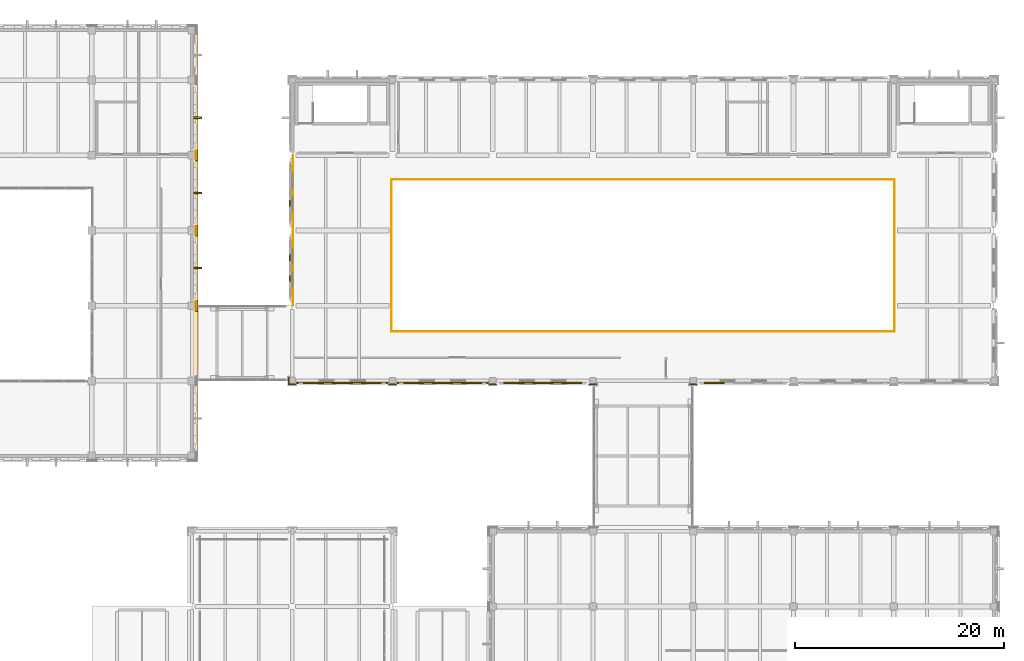
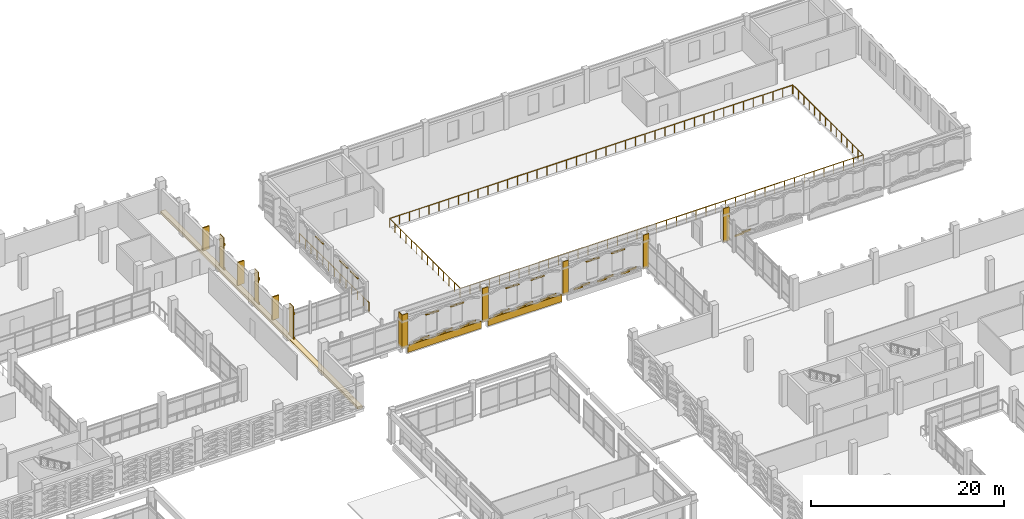
# One storey, part 174 of 180: 50 coverings, 3 railings.
"""IFC4 building model written with IfcOpenShell, lengths in metres."""

import ifcopenshell
import ifcopenshell.guid

model = None  # the IFC model being written
_history = None  # IfcOwnerHistory: only IFC2X3 demands one
_inside = {}  # id of a spatial element -> (the spatial element, [elements in it])
_under = {}  # id of a project, library or spatial element -> (it, [spatial elements below it])
_declared = {}  # id of a project -> (the project, [libraries it declares])
_typed = {}  # id of a type object -> (the type object, [elements of that type])
_made_of = {}  # id of a material, layer set ... -> (it, [elements and type objects made of it])


def new_model(schema):
    """Start an empty IFC model of exactly this schema.

    Asked for "IFC4X3", IfcOpenShell would pick the latest addendum, in which some entities
    have other attributes; the version numbers below select the first issue.
    IFC2X3 requires an IfcOwnerHistory on every rooted entity: one is made here for all.
    """
    global model, _history
    if schema == "IFC4X3":
        model = ifcopenshell.file(schema_version=(4, 3, 0, 0))
    else:
        model = ifcopenshell.file(schema=schema)
    _inside.clear()
    _under.clear()
    _declared.clear()
    _typed.clear()
    _made_of.clear()
    _history = None
    if model.schema == "IFC2X3":
        org = make("IfcOrganization", Name="unknown")
        user = make(
            "IfcPersonAndOrganization",
            ThePerson=make("IfcPerson", FamilyName="unknown"),
            TheOrganization=org,
        )
        app = make(
            "IfcApplication",
            ApplicationDeveloper=org,
            Version="unknown",
            ApplicationFullName="unknown",
            ApplicationIdentifier="unknown",
        )
        _history = make(
            "IfcOwnerHistory",
            OwningUser=user,
            OwningApplication=app,
            ChangeAction="ADDED",
            CreationDate=0,
        )
    return model


def make(cls, **values):
    """One entity of the class cls with the attributes given. An attribute that is None is left unset."""
    return model.create_entity(
        cls, **{name: value for name, value in values.items() if value is not None}
    )


def rooted(cls, **values):
    """An entity with a GlobalId (a new one), such as an element, a storey or a relation."""
    return make(cls, GlobalId=ifcopenshell.guid.new(), OwnerHistory=_history, **values)


def si_unit(unit_type, name, prefix=None):
    """IfcSIUnit, for example si_unit("LENGTHUNIT", "METRE", prefix="MILLI")."""
    return make("IfcSIUnit", UnitType=unit_type, Prefix=prefix, Name=name)


def assignment(units):
    """IfcUnitAssignment: the units of a project."""
    return None if units is None else make("IfcUnitAssignment", Units=units)


def point(xyz):
    """IfcCartesianPoint."""
    return None if xyz is None else make("IfcCartesianPoint", Coordinates=xyz)


def direction(xyz):
    """IfcDirection."""
    return None if xyz is None else make("IfcDirection", DirectionRatios=xyz)


def frame(location, z_axis=None, x_axis=None):
    """IfcAxis2Placement3D, a coordinate frame: its origin and axes. An axis left out is left unset."""
    return make(
        "IfcAxis2Placement3D",
        Location=point(location),
        Axis=direction(z_axis),
        RefDirection=direction(x_axis),
    )


def frame_2d(location, x_axis=None):
    """IfcAxis2Placement2D, a coordinate frame in the plane: its origin and x axis."""
    return make(
        "IfcAxis2Placement2D", Location=point(location), RefDirection=direction(x_axis)
    )


def origin():
    """The frame at (0, 0, 0) with its axes left unset."""
    return frame((0.0, 0.0, 0.0))


def origin_2d():
    """The frame at (0, 0) in the plane with its x axis left unset."""
    return frame_2d((0.0, 0.0))


def place(relative_to, where):
    """IfcLocalPlacement: puts the frame where relative to a parent placement (None: the world)."""
    return make(
        "IfcLocalPlacement", PlacementRelTo=relative_to, RelativePlacement=where
    )


def context(
    kind, dimensions, precision=None, world=None, true_north=None, identifier=None
):
    """IfcGeometricRepresentationContext, for example the 3D "Model" context."""
    return make(
        "IfcGeometricRepresentationContext",
        ContextIdentifier=identifier,
        ContextType=kind,
        CoordinateSpaceDimension=dimensions,
        Precision=precision,
        WorldCoordinateSystem=world,
        TrueNorth=true_north,
    )


def subcontext(parent, identifier, kind, view, scale=None):
    """IfcGeometricRepresentationSubContext, for example "Body" below "Model"."""
    return make(
        "IfcGeometricRepresentationSubContext",
        ContextIdentifier=identifier,
        ContextType=kind,
        ParentContext=parent,
        TargetScale=scale,
        TargetView=view,
    )


def project(units=None, contexts=None):
    """IfcProject with its units and contexts."""
    return rooted(
        "IfcProject",
        Name="project",
        RepresentationContexts=contexts,
        UnitsInContext=assignment(units),
    )


def spatial(cls, under=None, at=None, **own):
    """A site, building, storey or space (cls), placed at a placement, below another one or the project."""
    s = rooted(cls, ObjectPlacement=at, **own)
    if under is not None:
        _under.setdefault(under.id(), (under, []))[1].append(s)
    return s


def profile(cls, at=None, kind="AREA", **sizes):
    """A parametric profile (cls). Its sizes go by their IFC names, for example OverallWidth=200.0."""
    return make(cls, ProfileType=kind, Position=at, **sizes)


def rectangle(**sizes):
    """IfcRectangleProfileDef."""
    return profile("IfcRectangleProfileDef", **sizes)


def circle(**sizes):
    """IfcCircleProfileDef."""
    return profile("IfcCircleProfileDef", **sizes)


def extrude(swept, where, along, depth):
    """IfcExtrudedAreaSolid: the profile swept, set in the frame where, extruded along a direction by depth."""
    return make(
        "IfcExtrudedAreaSolid",
        SweptArea=swept,
        Position=where,
        ExtrudedDirection=direction(along),
        Depth=depth,
    )


def shape(context_of_items, identifier, shape_type, items):
    """IfcShapeRepresentation: the items that make up one representation, for example the "Body"."""
    return make(
        "IfcShapeRepresentation",
        ContextOfItems=context_of_items,
        RepresentationIdentifier=identifier,
        RepresentationType=shape_type,
        Items=items,
    )


def material(Name=None, Category=None):
    """IfcMaterial."""
    return make("IfcMaterial", Name=Name, Category=Category)


def layer(
    of_material, thickness, ventilated=None, Name=None, Category=None, Priority=None
):
    """IfcMaterialLayer: one layer of a wall or slab, of a material (None: an air gap)."""
    return make(
        "IfcMaterialLayer",
        Material=of_material,
        LayerThickness=thickness,
        IsVentilated=ventilated,
        Name=Name,
        Category=Category,
        Priority=Priority,
    )


def layer_set(layers, Name=None):
    """IfcMaterialLayerSet."""
    return make("IfcMaterialLayerSet", MaterialLayers=layers, LayerSetName=Name)


def made_of(thing, what):
    """Note that an element or type object is made of a material, layer set ...; save() writes the relation."""
    if what is not None:
        _made_of.setdefault(what.id(), (what, []))[1].append(thing)
    return thing


def type_object(cls, material=None, **own):
    """A type object (cls), such as IfcWallType, which elements share."""
    return made_of(rooted(cls, **own), material)


def element(
    cls,
    number,
    at=None,
    inside=None,
    cuts=None,
    type_object=None,
    material=None,
    context=None,
    identifier="Body",
    shape_type=None,
    held_by="IfcProductDefinitionShape",
    body=None,
    shapes=None,
    **own,
):
    """One element of the class cls, such as IfcWall. Its Tag is "e" and its number.

    at: its placement. inside: the storey or other place that contains it. cuts: it is an
    opening in that element (IfcRelVoidsElement). A single representation is given by context,
    identifier, shape_type and body (its items); several are given by shapes. held_by: the class
    of the entity that holds the representations. save() writes the other relations.
    """
    e = rooted(cls, Tag="e%d" % number, ObjectPlacement=at, **own)
    if body is not None:
        shapes = [shape(context, identifier, shape_type, body)]
    if shapes is not None:
        e.Representation = make(held_by, Representations=shapes)
    if inside is not None:
        _inside.setdefault(inside.id(), (inside, []))[1].append(e)
    if cuts is not None:
        rooted(
            "IfcRelVoidsElement", RelatingBuildingElement=cuts, RelatedOpeningElement=e
        )
    if type_object is not None:
        _typed.setdefault(type_object.id(), (type_object, []))[1].append(e)
    return made_of(e, material)


def aggregate(whole, parts):
    """IfcRelAggregates: a whole, such as a stair, and the parts it consists of."""
    return rooted("IfcRelAggregates", RelatingObject=whole, RelatedObjects=parts)


def save(model, path):
    """Write the relations noted so far, then the file.

    IfcRelAggregates (storeys below a building ...), IfcRelContainedInSpatialStructure (elements
    in a storey), IfcRelDefinesByType, IfcRelAssociatesMaterial and IfcRelDeclares: one each for
    every whole, place, type object, material and project.
    """
    for whole, parts in _under.values():
        aggregate(whole, parts)
    for where, things in _inside.values():
        rooted(
            "IfcRelContainedInSpatialStructure",
            RelatedElements=things,
            RelatingStructure=where,
        )
    for kind, things in _typed.values():
        rooted("IfcRelDefinesByType", RelatedObjects=things, RelatingType=kind)
    for what, things in _made_of.values():
        rooted("IfcRelAssociatesMaterial", RelatedObjects=things, RelatingMaterial=what)
    for by, libraries in _declared.values():
        rooted("IfcRelDeclares", RelatingContext=by, RelatedDefinitions=libraries)
    model.write(path)


model = new_model("IFC4")

# Units and contexts
model_context = context("Model", 3, precision=1e-05, world=origin(), true_north=direction((0.0, 1.0)))
body_context = subcontext(model_context, "Body", "Model", "MODEL_VIEW")
ifc_project = project(units=[si_unit("LENGTHUNIT", "METRE"), si_unit("AREAUNIT", "SQUARE_METRE"), si_unit("VOLUMEUNIT", "CUBIC_METRE"), si_unit("PLANEANGLEUNIT", "RADIAN"), si_unit("MASSUNIT", "GRAM", prefix="KILO")], contexts=[model_context])

# Site, building, storey
site_placement = place(None, origin())
site = spatial("IfcSite", under=ifc_project, at=site_placement, CompositionType="ELEMENT")
building_placement = place(site_placement, origin())
building = spatial("IfcBuilding", under=site, at=building_placement, Name="Asteropetra Specialist Clinic", CompositionType="ELEMENT")
storey_placement = place(building_placement, frame((0.0, 0.0, 4.419921875)))
storey = spatial("IfcBuildingStorey", under=building, at=storey_placement, Name="L01", CompositionType="ELEMENT", Elevation=4.419921875)

# Coverings
ifc_material_1 = material(Name="Chevron terracotta deep", Category="masonry")
ifc_layer_1 = layer(ifc_material_1, 0.1201171875)
ifc_layer_set_1 = layer_set([ifc_layer_1], Name="Chevron terracotta deep")
covering_type_1 = type_object("IfcCoveringType", Name="CLD-TER-DEEP", PredefinedType="CLADDING", material=ifc_layer_set_1)
covering_1_placement = place(storey_placement, frame((91.199951171875, 76.60009765625, -0.7998046875), z_axis=(0.0, 0.0, 1.0), x_axis=(1.0, 0.0, 0.0)))
element("IfcCovering", 1, at=covering_1_placement, inside=storey, type_object=covering_type_1, Name="Chevron Spandrel Band CV-1205", PredefinedType="CLADDING", context=body_context, shape_type="SweptSolid", body=[
    extrude(rectangle(XDim=8.800048828125, YDim=0.1201171875, at=origin_2d()), origin(), (0.0, 0.0, 1.0), 0.8798828125),
])
for number, where, z_axis, x_axis, name in (
    (2, (88.001220703125, 76.5849609375, 0.1201171875), (0.0, 0.0, 1.0), (1.0, 0.0, 0.0), "Chevron Ceramic Band CV-1206"),
    (3, (88.8251953125, 76.5849609375, 0.26025390625), (0.0, 0.0, 1.0), (1.0, 0.0, 0.0), "Chevron Ceramic Band CV-1207"),
    (4, (90.7880859375, 76.5849609375, 0.1201171875), (0.0, 0.0, 1.0), (1.0, 0.0, 0.0), "Chevron Ceramic Band CV-1208"),
    (5, (91.612060546875, 76.5849609375, 0.26025390625), (0.0, 0.0, 1.0), (1.0, 0.0, 0.0), "Chevron Ceramic Band CV-1209"),
    (6, (93.57470703125, 76.5849609375, 0.1201171875), (0.0, 0.0, 1.0), (1.0, 0.0, 0.0), "Chevron Ceramic Band CV-1210"),
    (7, (94.398681640625, 76.5849609375, 0.26025390625), (0.0, 0.0, 1.0), (1.0, 0.0, 0.0), "Chevron Ceramic Band CV-1211"),
):
    element("IfcCovering", number, at=place(storey_placement, frame(where, z_axis=z_axis, x_axis=x_axis)), inside=storey, type_object=covering_type_1, Name=name, PredefinedType="CLADDING", context=body_context, shape_type="SweptSolid", body=[
        extrude(rectangle(XDim=1.05908203125, YDim=0.1201171875, at=origin_2d()), origin(), (0.0, 0.0, 1.0), 0.199951171875),
    ])
covering_2_placement = place(storey_placement, frame((100.800048828125, 76.60009765625, -0.7998046875), z_axis=(0.0, 0.0, 1.0), x_axis=(1.0, 0.0, 0.0)))
element("IfcCovering", 8, at=covering_2_placement, inside=storey, type_object=covering_type_1, Name="Chevron Spandrel Band CV-1221", PredefinedType="CLADDING", context=body_context, shape_type="SweptSolid", body=[
    extrude(rectangle(XDim=8.800048828125, YDim=0.1201171875, at=origin_2d()), origin(), (0.0, 0.0, 1.0), 0.8798828125),
])
for number, where, z_axis, x_axis, name in (
    (9, (97.601318359375, 76.5849609375, 0.1201171875), (0.0, 0.0, 1.0), (1.0, 0.0, 0.0), "Chevron Ceramic Band CV-1222"),
    (10, (98.42529296875, 76.5849609375, 0.26025390625), (0.0, 0.0, 1.0), (1.0, 0.0, 0.0), "Chevron Ceramic Band CV-1223"),
    (11, (100.387939453125, 76.5849609375, 0.1201171875), (0.0, 0.0, 1.0), (1.0, 0.0, 0.0), "Chevron Ceramic Band CV-1224"),
    (12, (101.2119140625, 76.5849609375, 0.26025390625), (0.0, 0.0, 1.0), (1.0, 0.0, 0.0), "Chevron Ceramic Band CV-1225"),
    (13, (103.1748046875, 76.5849609375, 0.1201171875), (0.0, 0.0, 1.0), (1.0, 0.0, 0.0), "Chevron Ceramic Band CV-1226"),
    (14, (103.998779296875, 76.5849609375, 0.26025390625), (0.0, 0.0, 1.0), (1.0, 0.0, 0.0), "Chevron Ceramic Band CV-1227"),
    (15, (107.201416015625, 76.5849609375, 0.1201171875), (0.0, 0.0, 1.0), (1.0, 0.0, 0.0), "Chevron Ceramic Band CV-1238"),
    (16, (108.025390625, 76.5849609375, 0.26025390625), (0.0, 0.0, 1.0), (1.0, 0.0, 0.0), "Chevron Ceramic Band CV-1239"),
    (17, (109.988037109375, 76.5849609375, 0.1201171875), (0.0, 0.0, 1.0), (1.0, 0.0, 0.0), "Chevron Ceramic Band CV-1240"),
    (18, (110.81201171875, 76.5849609375, 0.26025390625), (0.0, 0.0, 1.0), (1.0, 0.0, 0.0), "Chevron Ceramic Band CV-1241"),
    (19, (112.774658203125, 76.5849609375, 0.1201171875), (0.0, 0.0, 1.0), (1.0, 0.0, 0.0), "Chevron Ceramic Band CV-1242"),
    (20, (113.5986328125, 76.5849609375, 0.26025390625), (0.0, 0.0, 1.0), (1.0, 0.0, 0.0), "Chevron Ceramic Band CV-1243"),
    (21, (126.4013671875, 76.5849609375, 0.1201171875), (0.0, 0.0, 1.0), (1.0, 0.0, 0.0), "Chevron Ceramic Band CV-1263"),
    (22, (127.225341796875, 76.5849609375, 0.26025390625), (0.0, 0.0, 1.0), (1.0, 0.0, 0.0), "Chevron Ceramic Band CV-1264"),
):
    element("IfcCovering", number, at=place(storey_placement, frame(where, z_axis=z_axis, x_axis=x_axis)), inside=storey, type_object=covering_type_1, Name=name, PredefinedType="CLADDING", context=body_context, shape_type="SweptSolid", body=[
        extrude(rectangle(XDim=1.05908203125, YDim=0.1201171875, at=origin_2d()), origin(), (0.0, 0.0, 1.0), 0.199951171875),
    ])
ifc_material_2 = material(Name="Pentelic marble ashlar", Category="masonry")
ifc_layer_2 = layer(ifc_material_2, 0.159912109375)
ifc_layer_set_2 = layer_set([ifc_layer_2], Name="Pentelic marble ashlar")
covering_type_2 = type_object("IfcCoveringType", Name="CRN-ENTAB-600", PredefinedType="MOLDING", material=ifc_layer_set_2)
covering_3_placement = place(storey_placement, frame((86.39990234375, 76.468017578125, 0.02001953125), z_axis=(0.0, 0.0, 1.0), x_axis=(1.0, 0.0, 0.0)))
element("IfcCovering", 23, at=covering_3_placement, inside=storey, type_object=covering_type_2, Name="Neoclassical Pilaster Facing CM-0175", PredefinedType="MOLDING", context=body_context, shape_type="SweptSolid", body=[
    extrude(rectangle(XDim=0.679931640625, YDim=0.080078125, at=origin_2d()), origin(), (0.0, 0.0, 1.0), 4.239990234375),
])
covering_4_placement = place(storey_placement, frame((86.068115234375, 76.800048828125, 0.02001953125), z_axis=(0.0, 0.0, 1.0), x_axis=(1.0, 0.0, 0.0)))
element("IfcCovering", 24, at=covering_4_placement, inside=storey, type_object=covering_type_2, Name="Neoclassical Pilaster Facing CM-0178", PredefinedType="MOLDING", context=body_context, shape_type="SweptSolid", body=[
    extrude(rectangle(XDim=0.080078125, YDim=0.679931640625, at=origin_2d()), origin(), (0.0, 0.0, 1.0), 4.239990234375),
])
for number, where, z_axis, x_axis, name in (
    (25, (96.0, 76.468017578125, 0.02001953125), (0.0, 0.0, 1.0), (1.0, 0.0, 0.0), "Neoclassical Pilaster Facing CM-0187"),
    (26, (105.60009765625, 76.468017578125, 0.02001953125), (0.0, 0.0, 1.0), (1.0, 0.0, 0.0), "Neoclassical Pilaster Facing CM-0193"),
    (27, (115.199951171875, 76.468017578125, 0.02001953125), (0.0, 0.0, 1.0), (1.0, 0.0, 0.0), "Neoclassical Pilaster Facing CM-0199"),
    (28, (124.800048828125, 76.468017578125, 0.02001953125), (0.0, 0.0, 1.0), (1.0, 0.0, 0.0), "Neoclassical Pilaster Facing CM-0205"),
):
    element("IfcCovering", number, at=place(storey_placement, frame(where, z_axis=z_axis, x_axis=x_axis)), inside=storey, type_object=covering_type_2, Name=name, PredefinedType="MOLDING", context=body_context, shape_type="SweptSolid", body=[
        extrude(rectangle(XDim=0.679931640625, YDim=0.080078125, at=origin_2d()), origin(), (0.0, 0.0, 1.0), 4.239990234375),
    ])
covering_5_placement = place(storey_placement, frame((77.20703125, 84.0, 0.02001953125), z_axis=(0.0, 0.0, 1.0), x_axis=(1.0, 0.0, 0.0)))
element("IfcCovering", 29, at=covering_5_placement, inside=storey, type_object=covering_type_2, Name="Neoclassical Pilaster Facing CM-0631", PredefinedType="MOLDING", context=body_context, shape_type="SweptSolid", body=[
    extrude(rectangle(XDim=0.080078125, YDim=0.830078125, at=origin_2d()), origin(), (0.0, 0.0, 1.0), 4.0400390625),
])
for number, where, z_axis, x_axis, name in (
    (30, (77.2470703125, 84.0, 0.01025390625), (0.0, 0.0, 1.0), (1.0, 0.0, 0.0), "Doric Base CC-0632"),
    (31, (77.2470703125, 84.0, 3.08984375), (0.0, 0.0, 1.0), (1.0, 0.0, 0.0), "Doric Capital CC-0633"),
):
    element("IfcCovering", number, at=place(storey_placement, frame(where, z_axis=z_axis, x_axis=x_axis)), inside=storey, type_object=covering_type_2, Name=name, PredefinedType="MOLDING", context=body_context, shape_type="SweptSolid", body=[
        extrude(rectangle(XDim=0.159912109375, YDim=1.030029296875, at=origin_2d()), origin(), (0.0, 0.0, 1.0), 0.260009765625),
    ])
covering_6_placement = place(storey_placement, frame((77.20703125, 91.199951171875, 0.02001953125), z_axis=(0.0, 0.0, 1.0), x_axis=(1.0, 0.0, 0.0)))
element("IfcCovering", 32, at=covering_6_placement, inside=storey, type_object=covering_type_2, Name="Neoclassical Pilaster Facing CM-0634", PredefinedType="MOLDING", context=body_context, shape_type="SweptSolid", body=[
    extrude(rectangle(XDim=0.080078125, YDim=0.830078125, at=origin_2d()), origin(), (0.0, 0.0, 1.0), 4.0400390625),
])
for number, where, z_axis, x_axis, name in (
    (33, (77.2470703125, 91.199951171875, 0.01025390625), (0.0, 0.0, 1.0), (1.0, 0.0, 0.0), "Doric Base CC-0635"),
    (34, (77.2470703125, 91.199951171875, 3.08984375), (0.0, 0.0, 1.0), (1.0, 0.0, 0.0), "Doric Capital CC-0636"),
):
    element("IfcCovering", number, at=place(storey_placement, frame(where, z_axis=z_axis, x_axis=x_axis)), inside=storey, type_object=covering_type_2, Name=name, PredefinedType="MOLDING", context=body_context, shape_type="SweptSolid", body=[
        extrude(rectangle(XDim=0.159912109375, YDim=1.030029296875, at=origin_2d()), origin(), (0.0, 0.0, 1.0), 0.260009765625),
    ])
covering_7_placement = place(storey_placement, frame((77.20703125, 98.39990234375, 0.02001953125), z_axis=(0.0, 0.0, 1.0), x_axis=(1.0, 0.0, 0.0)))
element("IfcCovering", 35, at=covering_7_placement, inside=storey, type_object=covering_type_2, Name="Neoclassical Pilaster Facing CM-0637", PredefinedType="MOLDING", context=body_context, shape_type="SweptSolid", body=[
    extrude(rectangle(XDim=0.080078125, YDim=0.830078125, at=origin_2d()), origin(), (0.0, 0.0, 1.0), 4.0400390625),
])
for number, where, z_axis, x_axis, name in (
    (36, (77.2470703125, 98.39990234375, 0.01025390625), (0.0, 0.0, 1.0), (1.0, 0.0, 0.0), "Doric Base CC-0638"),
    (37, (77.2470703125, 98.39990234375, 3.08984375), (0.0, 0.0, 1.0), (1.0, 0.0, 0.0), "Doric Capital CC-0639"),
):
    element("IfcCovering", number, at=place(storey_placement, frame(where, z_axis=z_axis, x_axis=x_axis)), inside=storey, type_object=covering_type_2, Name=name, PredefinedType="MOLDING", context=body_context, shape_type="SweptSolid", body=[
        extrude(rectangle(XDim=0.159912109375, YDim=1.030029296875, at=origin_2d()), origin(), (0.0, 0.0, 1.0), 0.260009765625),
    ])
for number, where, z_axis, x_axis, name in (
    (38, (89.699951171875, 76.570068359375, 3.14990234375), (0.0, 0.0, 1.0), (1.0, 0.0, 0.0), "Classical Window Hood WH-1203"),
    (39, (92.699951171875, 76.570068359375, 3.14990234375), (0.0, 0.0, 1.0), (1.0, 0.0, 0.0), "Classical Window Hood WH-1204"),
    (40, (99.300048828125, 76.570068359375, 3.14990234375), (0.0, 0.0, 1.0), (1.0, 0.0, 0.0), "Classical Window Hood WH-1219"),
    (41, (102.300048828125, 76.570068359375, 3.14990234375), (0.0, 0.0, 1.0), (1.0, 0.0, 0.0), "Classical Window Hood WH-1220"),
    (42, (108.89990234375, 76.570068359375, 3.14990234375), (0.0, 0.0, 1.0), (1.0, 0.0, 0.0), "Classical Window Hood WH-1236"),
    (43, (111.89990234375, 76.570068359375, 3.14990234375), (0.0, 0.0, 1.0), (1.0, 0.0, 0.0), "Classical Window Hood WH-1237"),
):
    element("IfcCovering", number, at=place(storey_placement, frame(where, z_axis=z_axis, x_axis=x_axis)), inside=storey, type_object=covering_type_2, Name=name, PredefinedType="MOLDING", context=body_context, shape_type="SweptSolid", body=[
        extrude(rectangle(XDim=1.590087890625, YDim=0.159912109375, at=origin_2d()), origin(), (0.0, 0.0, 1.0), 0.139892578125),
    ])
for number, where, z_axis, x_axis, name in (
    (44, (86.169921875, 88.706787109375, 3.14990234375), (0.0, 0.0, 1.0), (1.0, 0.0, 0.0), "Classical Window Hood WH-1317"),
    (45, (86.169921875, 86.493408203125, 3.14990234375), (0.0, 0.0, 1.0), (1.0, 0.0, 0.0), "Classical Window Hood WH-1318"),
    (46, (86.169921875, 93.693359375, 3.14990234375), (0.0, 0.0, 1.0), (1.0, 0.0, 0.0), "Classical Window Hood WH-1334"),
):
    element("IfcCovering", number, at=place(storey_placement, frame(where, z_axis=z_axis, x_axis=x_axis)), inside=storey, type_object=covering_type_2, Name=name, PredefinedType="MOLDING", context=body_context, shape_type="SweptSolid", body=[
        extrude(rectangle(XDim=0.159912109375, YDim=1.590087890625, at=origin_2d()), origin(), (0.0, 0.0, 1.0), 0.139892578125),
    ])
covering_8_placement = place(storey_placement, frame((77.080078125, 90.0, -0.27978515625), z_axis=(0.0, 0.0, 1.0), x_axis=(1.0, 0.0, 0.0)))
element("IfcCovering", 47, at=covering_8_placement, inside=storey, type_object=covering_type_2, Name="Classical Entablature Cornice EC-012", PredefinedType="MOLDING", context=body_context, shape_type="SweptSolid", body=[
    extrude(rectangle(XDim=0.56005859375, YDim=40.800048828125, at=origin_2d()), origin(), (0.0, 0.0, 1.0), 0.320068359375),
])
ifc_material_3 = material(Name="Pentelic marble solar fin", Category="masonry")
ifc_layer_3 = layer(ifc_material_3, 0.080078125)
ifc_layer_set_3 = layer_set([ifc_layer_3], Name="Pentelic marble solar fin")
covering_type_3 = type_object("IfcCoveringType", Name="FIN-SOLAR-800", PredefinedType="MOLDING", material=ifc_layer_set_3)
for number, where, z_axis, x_axis, name in (
    (48, (77.35498046875, 87.60009765625, 0.0703125), (0.0, 0.0, 1.0), (1.0, 0.0, 0.0), "Solar Shading Fin FN-0040"),
    (49, (77.35498046875, 94.800048828125, 0.0703125), (0.0, 0.0, 1.0), (1.0, 0.0, 0.0), "Solar Shading Fin FN-0042"),
    (50, (77.35498046875, 102.0, 0.0703125), (0.0, 0.0, 1.0), (1.0, 0.0, 0.0), "Solar Shading Fin FN-0044"),
):
    element("IfcCovering", number, at=place(storey_placement, frame(where, z_axis=z_axis, x_axis=x_axis)), inside=storey, type_object=covering_type_3, Name=name, PredefinedType="MOLDING", context=body_context, shape_type="SweptSolid", body=[
        extrude(rectangle(XDim=0.800048828125, YDim=0.159912109375, at=origin_2d()), origin(), (0.0, 0.0, 1.0), 2.909912109375),
    ])

# Railings
ifc_material_4 = material(Name="Powder-coated Steel S355 guardrail", Category="steel")
railing_type_1 = type_object("IfcRailingType", Name="GRD-EXT-1120", PredefinedType="GUARDRAIL", material=ifc_material_4)
railing_1_placement = place(storey_placement, frame((86.47998046875, 84.0, 0.0)))
element("IfcRailing", 51, at=railing_1_placement, inside=storey, type_object=railing_type_1, Name="Perimeter Guard GRD-V1-W-EDGE", PredefinedType="GUARDRAIL", context=body_context, shape_type="SweptSolid", body=[
    extrude(circle(Radius=0.02392578125, at=origin_2d()), frame((0.0, 0.0, 1.09619140625), z_axis=(0.0, 1.0, 0.0), x_axis=(-1.0, 0.0, 0.0)), (0.0, 0.0, 1.0), 14.39990234375),
    extrude(circle(Radius=0.02099609375, at=origin_2d()), origin(), (0.0, 0.0, 1.0), 1.072021484375),
    extrude(circle(Radius=0.02099609375, at=origin_2d()), frame((0.0, 1.199951171875, 0.0)), (0.0, 0.0, 1.0), 1.072021484375),
    extrude(circle(Radius=0.02099609375, at=origin_2d()), frame((0.0, 2.39990234375, 0.0)), (0.0, 0.0, 1.0), 1.072021484375),
    extrude(circle(Radius=0.02099609375, at=origin_2d()), frame((0.0, 3.60009765625, 0.0)), (0.0, 0.0, 1.0), 1.072021484375),
    extrude(circle(Radius=0.02099609375, at=origin_2d()), frame((0.0, 4.800048828125, 0.0)), (0.0, 0.0, 1.0), 1.072021484375),
    extrude(circle(Radius=0.02099609375, at=origin_2d()), frame((0.0, 6.0, 0.0)), (0.0, 0.0, 1.0), 1.072021484375),
    extrude(circle(Radius=0.02099609375, at=origin_2d()), frame((0.0, 7.199951171875, 0.0)), (0.0, 0.0, 1.0), 1.072021484375),
    extrude(circle(Radius=0.02099609375, at=origin_2d()), frame((0.0, 8.39990234375, 0.0)), (0.0, 0.0, 1.0), 1.072021484375),
    extrude(circle(Radius=0.02099609375, at=origin_2d()), frame((0.0, 9.599853515625, 0.0)), (0.0, 0.0, 1.0), 1.072021484375),
    extrude(circle(Radius=0.02099609375, at=origin_2d()), frame((0.0, 10.7998046875, 0.0)), (0.0, 0.0, 1.0), 1.072021484375),
    extrude(circle(Radius=0.02099609375, at=origin_2d()), frame((0.0, 12.0, 0.0)), (0.0, 0.0, 1.0), 1.072021484375),
    extrude(circle(Radius=0.02099609375, at=origin_2d()), frame((0.0, 13.199951171875, 0.0)), (0.0, 0.0, 1.0), 1.072021484375),
    extrude(circle(Radius=0.02099609375, at=origin_2d()), frame((0.0, 14.39990234375, 0.0)), (0.0, 0.0, 1.0), 1.072021484375),
])
ifc_material_5 = material(Name="Steel S355 and laminated glass guard", Category="steel")
railing_type_2 = type_object("IfcRailingType", Name="GRD-INT-1120", PredefinedType="GUARDRAIL", material=ifc_material_5)
railing_2_placement = place(storey_placement, frame((95.919921875, 81.52001953125, 0.0)))
element("IfcRailing", 52, at=railing_2_placement, inside=storey, type_object=railing_type_2, Name="Infusion Hall Mezzanine Guard South-East", PredefinedType="GUARDRAIL", context=body_context, shape_type="SweptSolid", body=[
    extrude(circle(Radius=0.02392578125, at=origin_2d()), frame((0.0, 0.0, 1.09619140625), z_axis=(1.0, 0.0, 0.0), x_axis=(0.0, 1.0, 0.0)), (0.0, 0.0, 1.0), 48.16015625),
    extrude(circle(Radius=0.02392578125, at=origin_2d()), frame((48.16015625, 0.0, 1.09619140625), z_axis=(0.0, 1.0, 0.0), x_axis=(-1.0, 0.0, 0.0)), (0.0, 0.0, 1.0), 14.52001953125),
    extrude(circle(Radius=0.02099609375, at=origin_2d()), origin(), (0.0, 0.0, 1.0), 1.072021484375),
    extrude(circle(Radius=0.02099609375, at=origin_2d()), frame((1.174560546875, 0.0, 0.0)), (0.0, 0.0, 1.0), 1.072021484375),
    extrude(circle(Radius=0.02099609375, at=origin_2d()), frame((2.349365234375, 0.0, 0.0)), (0.0, 0.0, 1.0), 1.072021484375),
    extrude(circle(Radius=0.02099609375, at=origin_2d()), frame((3.52392578125, 0.0, 0.0)), (0.0, 0.0, 1.0), 1.072021484375),
    extrude(circle(Radius=0.02099609375, at=origin_2d()), frame((4.698486328125, 0.0, 0.0)), (0.0, 0.0, 1.0), 1.072021484375),
    extrude(circle(Radius=0.02099609375, at=origin_2d()), frame((5.873291015625, 0.0, 0.0)), (0.0, 0.0, 1.0), 1.072021484375),
    extrude(circle(Radius=0.02099609375, at=origin_2d()), frame((7.0478515625, 0.0, 0.0)), (0.0, 0.0, 1.0), 1.072021484375),
    extrude(circle(Radius=0.02099609375, at=origin_2d()), frame((8.222412109375, 0.0, 0.0)), (0.0, 0.0, 1.0), 1.072021484375),
    extrude(circle(Radius=0.02099609375, at=origin_2d()), frame((9.397216796875, 0.0, 0.0)), (0.0, 0.0, 1.0), 1.072021484375),
    extrude(circle(Radius=0.02099609375, at=origin_2d()), frame((10.57177734375, 0.0, 0.0)), (0.0, 0.0, 1.0), 1.072021484375),
    extrude(circle(Radius=0.02099609375, at=origin_2d()), frame((11.746337890625, 0.0, 0.0)), (0.0, 0.0, 1.0), 1.072021484375),
    extrude(circle(Radius=0.02099609375, at=origin_2d()), frame((12.9208984375, 0.0, 0.0)), (0.0, 0.0, 1.0), 1.072021484375),
    extrude(circle(Radius=0.02099609375, at=origin_2d()), frame((14.095703125, 0.0, 0.0)), (0.0, 0.0, 1.0), 1.072021484375),
    extrude(circle(Radius=0.02099609375, at=origin_2d()), frame((15.270263671875, 0.0, 0.0)), (0.0, 0.0, 1.0), 1.072021484375),
    extrude(circle(Radius=0.02099609375, at=origin_2d()), frame((16.44482421875, 0.0, 0.0)), (0.0, 0.0, 1.0), 1.072021484375),
    extrude(circle(Radius=0.02099609375, at=origin_2d()), frame((17.61962890625, 0.0, 0.0)), (0.0, 0.0, 1.0), 1.072021484375),
    extrude(circle(Radius=0.02099609375, at=origin_2d()), frame((18.794189453125, 0.0, 0.0)), (0.0, 0.0, 1.0), 1.072021484375),
    extrude(circle(Radius=0.02099609375, at=origin_2d()), frame((19.96875, 0.0, 0.0)), (0.0, 0.0, 1.0), 1.072021484375),
    extrude(circle(Radius=0.02099609375, at=origin_2d()), frame((21.1435546875, 0.0, 0.0)), (0.0, 0.0, 1.0), 1.072021484375),
    extrude(circle(Radius=0.02099609375, at=origin_2d()), frame((22.318115234375, 0.0, 0.0)), (0.0, 0.0, 1.0), 1.072021484375),
    extrude(circle(Radius=0.02099609375, at=origin_2d()), frame((23.49267578125, 0.0, 0.0)), (0.0, 0.0, 1.0), 1.072021484375),
    extrude(circle(Radius=0.02099609375, at=origin_2d()), frame((24.66748046875, 0.0, 0.0)), (0.0, 0.0, 1.0), 1.072021484375),
    extrude(circle(Radius=0.02099609375, at=origin_2d()), frame((25.842041015625, 0.0, 0.0)), (0.0, 0.0, 1.0), 1.072021484375),
    extrude(circle(Radius=0.02099609375, at=origin_2d()), frame((27.0166015625, 0.0, 0.0)), (0.0, 0.0, 1.0), 1.072021484375),
    extrude(circle(Radius=0.02099609375, at=origin_2d()), frame((28.19140625, 0.0, 0.0)), (0.0, 0.0, 1.0), 1.072021484375),
    extrude(circle(Radius=0.02099609375, at=origin_2d()), frame((29.365966796875, 0.0, 0.0)), (0.0, 0.0, 1.0), 1.072021484375),
    extrude(circle(Radius=0.02099609375, at=origin_2d()), frame((30.54052734375, 0.0, 0.0)), (0.0, 0.0, 1.0), 1.072021484375),
    extrude(circle(Radius=0.02099609375, at=origin_2d()), frame((31.71533203125, 0.0, 0.0)), (0.0, 0.0, 1.0), 1.072021484375),
    extrude(circle(Radius=0.02099609375, at=origin_2d()), frame((32.889892578125, 0.0, 0.0)), (0.0, 0.0, 1.0), 1.072021484375),
    extrude(circle(Radius=0.02099609375, at=origin_2d()), frame((34.064453125, 0.0, 0.0)), (0.0, 0.0, 1.0), 1.072021484375),
    extrude(circle(Radius=0.02099609375, at=origin_2d()), frame((35.2392578125, 0.0, 0.0)), (0.0, 0.0, 1.0), 1.072021484375),
    extrude(circle(Radius=0.02099609375, at=origin_2d()), frame((36.413818359375, 0.0, 0.0)), (0.0, 0.0, 1.0), 1.072021484375),
    extrude(circle(Radius=0.02099609375, at=origin_2d()), frame((37.58837890625, 0.0, 0.0)), (0.0, 0.0, 1.0), 1.072021484375),
    extrude(circle(Radius=0.02099609375, at=origin_2d()), frame((38.762939453125, 0.0, 0.0)), (0.0, 0.0, 1.0), 1.072021484375),
    extrude(circle(Radius=0.02099609375, at=origin_2d()), frame((39.937744140625, 0.0, 0.0)), (0.0, 0.0, 1.0), 1.072021484375),
    extrude(circle(Radius=0.02099609375, at=origin_2d()), frame((41.1123046875, 0.0, 0.0)), (0.0, 0.0, 1.0), 1.072021484375),
    extrude(circle(Radius=0.02099609375, at=origin_2d()), frame((42.286865234375, 0.0, 0.0)), (0.0, 0.0, 1.0), 1.072021484375),
    extrude(circle(Radius=0.02099609375, at=origin_2d()), frame((43.461669921875, 0.0, 0.0)), (0.0, 0.0, 1.0), 1.072021484375),
    extrude(circle(Radius=0.02099609375, at=origin_2d()), frame((44.63623046875, 0.0, 0.0)), (0.0, 0.0, 1.0), 1.072021484375),
    extrude(circle(Radius=0.02099609375, at=origin_2d()), frame((45.810791015625, 0.0, 0.0)), (0.0, 0.0, 1.0), 1.072021484375),
    extrude(circle(Radius=0.02099609375, at=origin_2d()), frame((46.985595703125, 0.0, 0.0)), (0.0, 0.0, 1.0), 1.072021484375),
    extrude(circle(Radius=0.02099609375, at=origin_2d()), frame((48.16015625, 0.0, 0.0)), (0.0, 0.0, 1.0), 1.072021484375),
    extrude(circle(Radius=0.02099609375, at=origin_2d()), frame((48.16015625, 1.116943359375, 0.0)), (0.0, 0.0, 1.0), 1.072021484375),
    extrude(circle(Radius=0.02099609375, at=origin_2d()), frame((48.16015625, 2.23388671875, 0.0)), (0.0, 0.0, 1.0), 1.072021484375),
    extrude(circle(Radius=0.02099609375, at=origin_2d()), frame((48.16015625, 3.350830078125, 0.0)), (0.0, 0.0, 1.0), 1.072021484375),
    extrude(circle(Radius=0.02099609375, at=origin_2d()), frame((48.16015625, 4.4677734375, 0.0)), (0.0, 0.0, 1.0), 1.072021484375),
    extrude(circle(Radius=0.02099609375, at=origin_2d()), frame((48.16015625, 5.584716796875, 0.0)), (0.0, 0.0, 1.0), 1.072021484375),
    extrude(circle(Radius=0.02099609375, at=origin_2d()), frame((48.16015625, 6.70166015625, 0.0)), (0.0, 0.0, 1.0), 1.072021484375),
    extrude(circle(Radius=0.02099609375, at=origin_2d()), frame((48.16015625, 7.818359375, 0.0)), (0.0, 0.0, 1.0), 1.072021484375),
    extrude(circle(Radius=0.02099609375, at=origin_2d()), frame((48.16015625, 8.935302734375, 0.0)), (0.0, 0.0, 1.0), 1.072021484375),
    extrude(circle(Radius=0.02099609375, at=origin_2d()), frame((48.16015625, 10.05224609375, 0.0)), (0.0, 0.0, 1.0), 1.072021484375),
    extrude(circle(Radius=0.02099609375, at=origin_2d()), frame((48.16015625, 11.169189453125, 0.0)), (0.0, 0.0, 1.0), 1.072021484375),
    extrude(circle(Radius=0.02099609375, at=origin_2d()), frame((48.16015625, 12.2861328125, 0.0)), (0.0, 0.0, 1.0), 1.072021484375),
    extrude(circle(Radius=0.02099609375, at=origin_2d()), frame((48.16015625, 13.403076171875, 0.0)), (0.0, 0.0, 1.0), 1.072021484375),
    extrude(circle(Radius=0.02099609375, at=origin_2d()), frame((48.16015625, 14.52001953125, 0.0)), (0.0, 0.0, 1.0), 1.072021484375),
])
railing_3_placement = place(storey_placement, frame((144.0400390625, 96.080078125, 0.0)))
element("IfcRailing", 53, at=railing_3_placement, inside=storey, type_object=railing_type_2, Name="Infusion Hall Mezzanine Guard North-West", PredefinedType="GUARDRAIL", context=body_context, shape_type="SweptSolid", body=[
    extrude(circle(Radius=0.02392578125, at=origin_2d()), frame((0.0, 0.0, 1.09619140625), z_axis=(-1.0, 0.0, 0.0), x_axis=(0.0, -1.0, 0.0)), (0.0, 0.0, 1.0), 48.1201171875),
    extrude(circle(Radius=0.02392578125, at=origin_2d()), frame((-48.1201171875, 0.0, 1.09619140625), z_axis=(0.0, -1.0, 0.0), x_axis=(1.0, 0.0, 0.0)), (0.0, 0.0, 1.0), 14.5),
    extrude(circle(Radius=0.02099609375, at=origin_2d()), origin(), (0.0, 0.0, 1.0), 1.072021484375),
    extrude(circle(Radius=0.02099609375, at=origin_2d()), frame((-1.173583984375, 0.0, 0.0)), (0.0, 0.0, 1.0), 1.072021484375),
    extrude(circle(Radius=0.02099609375, at=origin_2d()), frame((-2.347412109375, 0.0, 0.0)), (0.0, 0.0, 1.0), 1.072021484375),
    extrude(circle(Radius=0.02099609375, at=origin_2d()), frame((-3.52099609375, 0.0, 0.0)), (0.0, 0.0, 1.0), 1.072021484375),
    extrude(circle(Radius=0.02099609375, at=origin_2d()), frame((-4.694580078125, 0.0, 0.0)), (0.0, 0.0, 1.0), 1.072021484375),
    extrude(circle(Radius=0.02099609375, at=origin_2d()), frame((-5.868408203125, 0.0, 0.0)), (0.0, 0.0, 1.0), 1.072021484375),
    extrude(circle(Radius=0.02099609375, at=origin_2d()), frame((-7.0419921875, 0.0, 0.0)), (0.0, 0.0, 1.0), 1.072021484375),
    extrude(circle(Radius=0.02099609375, at=origin_2d()), frame((-8.215576171875, 0.0, 0.0)), (0.0, 0.0, 1.0), 1.072021484375),
    extrude(circle(Radius=0.02099609375, at=origin_2d()), frame((-9.389404296875, 0.0, 0.0)), (0.0, 0.0, 1.0), 1.072021484375),
    extrude(circle(Radius=0.02099609375, at=origin_2d()), frame((-10.56298828125, 0.0, 0.0)), (0.0, 0.0, 1.0), 1.072021484375),
    extrude(circle(Radius=0.02099609375, at=origin_2d()), frame((-11.736572265625, 0.0, 0.0)), (0.0, 0.0, 1.0), 1.072021484375),
    extrude(circle(Radius=0.02099609375, at=origin_2d()), frame((-12.91015625, 0.0, 0.0)), (0.0, 0.0, 1.0), 1.072021484375),
    extrude(circle(Radius=0.02099609375, at=origin_2d()), frame((-14.083984375, 0.0, 0.0)), (0.0, 0.0, 1.0), 1.072021484375),
    extrude(circle(Radius=0.02099609375, at=origin_2d()), frame((-15.257568359375, 0.0, 0.0)), (0.0, 0.0, 1.0), 1.072021484375),
    extrude(circle(Radius=0.02099609375, at=origin_2d()), frame((-16.43115234375, 0.0, 0.0)), (0.0, 0.0, 1.0), 1.072021484375),
    extrude(circle(Radius=0.02099609375, at=origin_2d()), frame((-17.60498046875, 0.0, 0.0)), (0.0, 0.0, 1.0), 1.072021484375),
    extrude(circle(Radius=0.02099609375, at=origin_2d()), frame((-18.778564453125, 0.0, 0.0)), (0.0, 0.0, 1.0), 1.072021484375),
    extrude(circle(Radius=0.02099609375, at=origin_2d()), frame((-19.9521484375, 0.0, 0.0)), (0.0, 0.0, 1.0), 1.072021484375),
    extrude(circle(Radius=0.02099609375, at=origin_2d()), frame((-21.1259765625, 0.0, 0.0)), (0.0, 0.0, 1.0), 1.072021484375),
    extrude(circle(Radius=0.02099609375, at=origin_2d()), frame((-22.299560546875, 0.0, 0.0)), (0.0, 0.0, 1.0), 1.072021484375),
    extrude(circle(Radius=0.02099609375, at=origin_2d()), frame((-23.47314453125, 0.0, 0.0)), (0.0, 0.0, 1.0), 1.072021484375),
    extrude(circle(Radius=0.02099609375, at=origin_2d()), frame((-24.64697265625, 0.0, 0.0)), (0.0, 0.0, 1.0), 1.072021484375),
    extrude(circle(Radius=0.02099609375, at=origin_2d()), frame((-25.820556640625, 0.0, 0.0)), (0.0, 0.0, 1.0), 1.072021484375),
    extrude(circle(Radius=0.02099609375, at=origin_2d()), frame((-26.994140625, 0.0, 0.0)), (0.0, 0.0, 1.0), 1.072021484375),
    extrude(circle(Radius=0.02099609375, at=origin_2d()), frame((-28.16796875, 0.0, 0.0)), (0.0, 0.0, 1.0), 1.072021484375),
    extrude(circle(Radius=0.02099609375, at=origin_2d()), frame((-29.341552734375, 0.0, 0.0)), (0.0, 0.0, 1.0), 1.072021484375),
    extrude(circle(Radius=0.02099609375, at=origin_2d()), frame((-30.51513671875, 0.0, 0.0)), (0.0, 0.0, 1.0), 1.072021484375),
    extrude(circle(Radius=0.02099609375, at=origin_2d()), frame((-31.68896484375, 0.0, 0.0)), (0.0, 0.0, 1.0), 1.072021484375),
    extrude(circle(Radius=0.02099609375, at=origin_2d()), frame((-32.862548828125, 0.0, 0.0)), (0.0, 0.0, 1.0), 1.072021484375),
    extrude(circle(Radius=0.02099609375, at=origin_2d()), frame((-34.0361328125, 0.0, 0.0)), (0.0, 0.0, 1.0), 1.072021484375),
    extrude(circle(Radius=0.02099609375, at=origin_2d()), frame((-35.2099609375, 0.0, 0.0)), (0.0, 0.0, 1.0), 1.072021484375),
    extrude(circle(Radius=0.02099609375, at=origin_2d()), frame((-36.383544921875, 0.0, 0.0)), (0.0, 0.0, 1.0), 1.072021484375),
    extrude(circle(Radius=0.02099609375, at=origin_2d()), frame((-37.55712890625, 0.0, 0.0)), (0.0, 0.0, 1.0), 1.072021484375),
    extrude(circle(Radius=0.02099609375, at=origin_2d()), frame((-38.730712890625, 0.0, 0.0)), (0.0, 0.0, 1.0), 1.072021484375),
    extrude(circle(Radius=0.02099609375, at=origin_2d()), frame((-39.904541015625, 0.0, 0.0)), (0.0, 0.0, 1.0), 1.072021484375),
    extrude(circle(Radius=0.02099609375, at=origin_2d()), frame((-41.078125, 0.0, 0.0)), (0.0, 0.0, 1.0), 1.072021484375),
    extrude(circle(Radius=0.02099609375, at=origin_2d()), frame((-42.251708984375, 0.0, 0.0)), (0.0, 0.0, 1.0), 1.072021484375),
    extrude(circle(Radius=0.02099609375, at=origin_2d()), frame((-43.425537109375, 0.0, 0.0)), (0.0, 0.0, 1.0), 1.072021484375),
    extrude(circle(Radius=0.02099609375, at=origin_2d()), frame((-44.59912109375, 0.0, 0.0)), (0.0, 0.0, 1.0), 1.072021484375),
    extrude(circle(Radius=0.02099609375, at=origin_2d()), frame((-45.772705078125, 0.0, 0.0)), (0.0, 0.0, 1.0), 1.072021484375),
    extrude(circle(Radius=0.02099609375, at=origin_2d()), frame((-46.946533203125, 0.0, 0.0)), (0.0, 0.0, 1.0), 1.072021484375),
    extrude(circle(Radius=0.02099609375, at=origin_2d()), frame((-48.1201171875, 0.0, 0.0)), (0.0, 0.0, 1.0), 1.072021484375),
    extrude(circle(Radius=0.02099609375, at=origin_2d()), frame((-48.1201171875, -1.115478515625, 0.0)), (0.0, 0.0, 1.0), 1.072021484375),
    extrude(circle(Radius=0.02099609375, at=origin_2d()), frame((-48.1201171875, -2.230712890625, 0.0)), (0.0, 0.0, 1.0), 1.072021484375),
    extrude(circle(Radius=0.02099609375, at=origin_2d()), frame((-48.1201171875, -3.34619140625, 0.0)), (0.0, 0.0, 1.0), 1.072021484375),
    extrude(circle(Radius=0.02099609375, at=origin_2d()), frame((-48.1201171875, -4.46142578125, 0.0)), (0.0, 0.0, 1.0), 1.072021484375),
    extrude(circle(Radius=0.02099609375, at=origin_2d()), frame((-48.1201171875, -5.576904296875, 0.0)), (0.0, 0.0, 1.0), 1.072021484375),
    extrude(circle(Radius=0.02099609375, at=origin_2d()), frame((-48.1201171875, -6.6923828125, 0.0)), (0.0, 0.0, 1.0), 1.072021484375),
    extrude(circle(Radius=0.02099609375, at=origin_2d()), frame((-48.1201171875, -7.8076171875, 0.0)), (0.0, 0.0, 1.0), 1.072021484375),
    extrude(circle(Radius=0.02099609375, at=origin_2d()), frame((-48.1201171875, -8.923095703125, 0.0)), (0.0, 0.0, 1.0), 1.072021484375),
    extrude(circle(Radius=0.02099609375, at=origin_2d()), frame((-48.1201171875, -10.03857421875, 0.0)), (0.0, 0.0, 1.0), 1.072021484375),
    extrude(circle(Radius=0.02099609375, at=origin_2d()), frame((-48.1201171875, -11.15380859375, 0.0)), (0.0, 0.0, 1.0), 1.072021484375),
    extrude(circle(Radius=0.02099609375, at=origin_2d()), frame((-48.1201171875, -12.269287109375, 0.0)), (0.0, 0.0, 1.0), 1.072021484375),
    extrude(circle(Radius=0.02099609375, at=origin_2d()), frame((-48.1201171875, -13.384521484375, 0.0)), (0.0, 0.0, 1.0), 1.072021484375),
    extrude(circle(Radius=0.02099609375, at=origin_2d()), frame((-48.1201171875, -14.5, 0.0)), (0.0, 0.0, 1.0), 1.072021484375),
])

save(model, "model.ifc")
